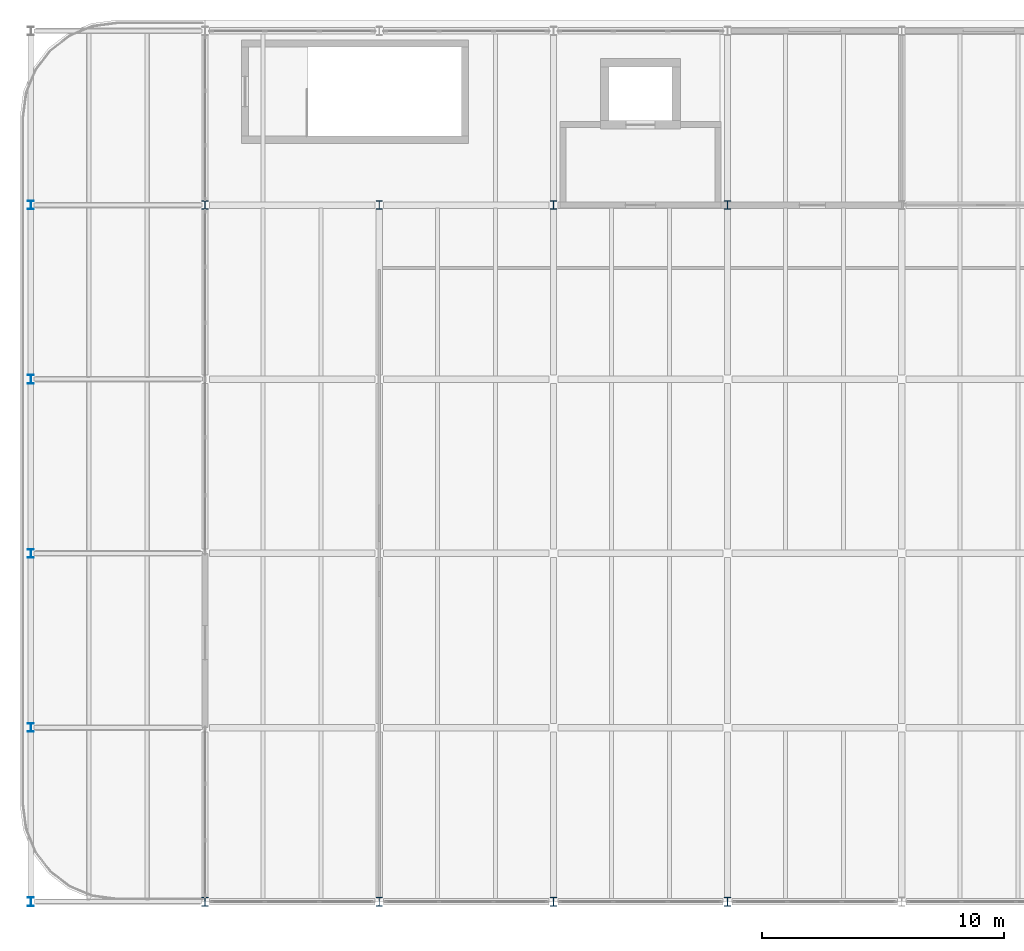
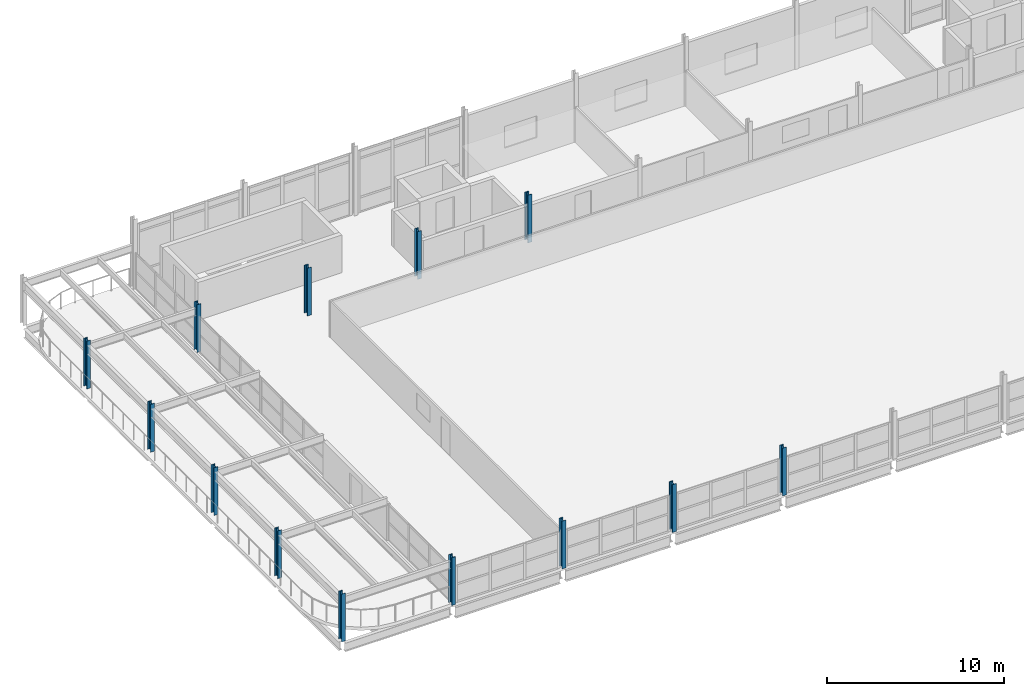
# One storey, part 1 of 25: 13 columns.
"""IFC4 building model written with IfcOpenShell, lengths in metres."""

from ifc_helpers import new_model, si_unit, direction, frame, origin, origin_2d, place, context, subcontext, project, spatial, i_section, extrude, material, material_profile, profile_set, type_object, element, save


model = new_model("IFC4")

# Units and contexts
model_context = context("Model", 3, precision=1e-05, world=origin(), true_north=direction((0.0, 1.0)))
body_context = subcontext(model_context, "Body", "Model", "MODEL_VIEW")
ifc_project = project(units=[si_unit("LENGTHUNIT", "METRE"), si_unit("AREAUNIT", "SQUARE_METRE"), si_unit("VOLUMEUNIT", "CUBIC_METRE"), si_unit("PLANEANGLEUNIT", "RADIAN"), si_unit("MASSUNIT", "GRAM", prefix="KILO")], contexts=[model_context])

# Site, building, storey
site_placement = place(None, origin())
site = spatial("IfcSite", under=ifc_project, at=site_placement, CompositionType="ELEMENT")
building_placement = place(site_placement, origin())
building = spatial("IfcBuilding", under=site, at=building_placement, Name="Vaelcorin Mobility Hub", CompositionType="ELEMENT")
storey_placement = place(building_placement, frame((0.0, 0.0, 21.0)))
storey = spatial("IfcBuildingStorey", under=building, at=storey_placement, Name="L05", CompositionType="ELEMENT", Elevation=21.0)

# Columns
ifc_material = material(Name="Steel ASTM A992 Grade 50", Category="steel")
ifc_material_profile_1 = material_profile(ifc_material, i_section(OverallWidth=0.25390625, OverallDepth=0.35595703125, WebThickness=0.010498046875, FlangeThickness=0.018310546875, FilletRadius=0.014892578125, at=origin_2d()), Name="W14X68")
ifc_profile_set_1 = profile_set([ifc_material_profile_1], Name="Steel ASTM A992 Grade 50")
column_type_1 = type_object("IfcColumnType", Name="COL-W14X68", PredefinedType="COLUMN", material=ifc_profile_set_1)
for number, where, z_axis, x_axis, name in (
    (1, (36.0, 84.0, 0.0), (0.0, 0.0, 1.0), (1.0, 0.0, 0.0), "Column V4-X01Y02 L05"),
    (2, (36.0, 91.199951171875, 0.0), (0.0, 0.0, 1.0), (1.0, 0.0, 0.0), "Column V4-X01Y03 L05"),
    (3, (36.0, 98.39990234375, 0.0), (0.0, 0.0, 1.0), (1.0, 0.0, 0.0), "Column V4-X01Y04 L05"),
    (4, (36.0, 105.60009765625, 0.0), (0.0, 0.0, 1.0), (1.0, 0.0, 0.0), "Column V4-X01Y05 L05"),
    (5, (36.0, 112.800048828125, 0.0), (0.0, 0.0, 1.0), (1.0, 0.0, 0.0), "Column V4-X01Y06 L05"),
):
    element("IfcColumn", number, at=place(storey_placement, frame(where, z_axis=z_axis, x_axis=x_axis)), inside=storey, type_object=column_type_1, Name=name, PredefinedType="COLUMN", context=body_context, shape_type="SweptSolid", body=[
        extrude(i_section(OverallWidth=0.25390625, OverallDepth=0.35595703125, WebThickness=0.010498046875, FlangeThickness=0.018310546875, FilletRadius=0.014892578125, at=origin_2d()), origin(), (0.0, 0.0, 1.0), 3.300048828125),
    ])
ifc_material_profile_2 = material_profile(ifc_material, i_section(OverallWidth=0.257080078125, OverallDepth=0.363037109375, WebThickness=0.012939453125, FlangeThickness=0.021728515625, FilletRadius=0.014892578125, at=origin_2d()), Name="W14X82")
ifc_profile_set_2 = profile_set([ifc_material_profile_2], Name="Steel ASTM A992 Grade 50")
column_type_2 = type_object("IfcColumnType", Name="COL-W14X82", PredefinedType="COLUMN", material=ifc_profile_set_2)
for number, where, z_axis, x_axis, name in (
    (6, (43.199951171875, 84.0, 0.0), (0.0, 0.0, 1.0), (1.0, 0.0, 0.0), "Column V4-X02Y02 L05"),
    (7, (43.199951171875, 112.800048828125, 0.0), (0.0, 0.0, 1.0), (1.0, 0.0, 0.0), "Column V4-X02Y06 L05"),
    (8, (50.39990234375, 84.0, 0.0), (0.0, 0.0, 1.0), (1.0, 0.0, 0.0), "Column V4-X03Y02 L05"),
    (9, (50.39990234375, 112.800048828125, 0.0), (0.0, 0.0, 1.0), (1.0, 0.0, 0.0), "Column V4-X03Y06 L05"),
    (10, (57.60009765625, 84.0, 0.0), (0.0, 0.0, 1.0), (1.0, 0.0, 0.0), "Column V4-X04Y02 L05"),
    (11, (57.60009765625, 112.800048828125, 0.0), (0.0, 0.0, 1.0), (1.0, 0.0, 0.0), "Column V4-X04Y06 L05"),
    (12, (64.800048828125, 84.0, 0.0), (0.0, 0.0, 1.0), (1.0, 0.0, 0.0), "Column V4-X05Y02 L05"),
    (13, (64.800048828125, 112.800048828125, 0.0), (0.0, 0.0, 1.0), (1.0, 0.0, 0.0), "Column V4-X05Y06 L05"),
):
    element("IfcColumn", number, at=place(storey_placement, frame(where, z_axis=z_axis, x_axis=x_axis)), inside=storey, type_object=column_type_2, Name=name, PredefinedType="COLUMN", context=body_context, shape_type="SweptSolid", body=[
        extrude(i_section(OverallWidth=0.257080078125, OverallDepth=0.363037109375, WebThickness=0.012939453125, FlangeThickness=0.021728515625, FilletRadius=0.014892578125, at=origin_2d()), origin(), (0.0, 0.0, 1.0), 3.300048828125),
    ])

save(model, "model.ifc")
